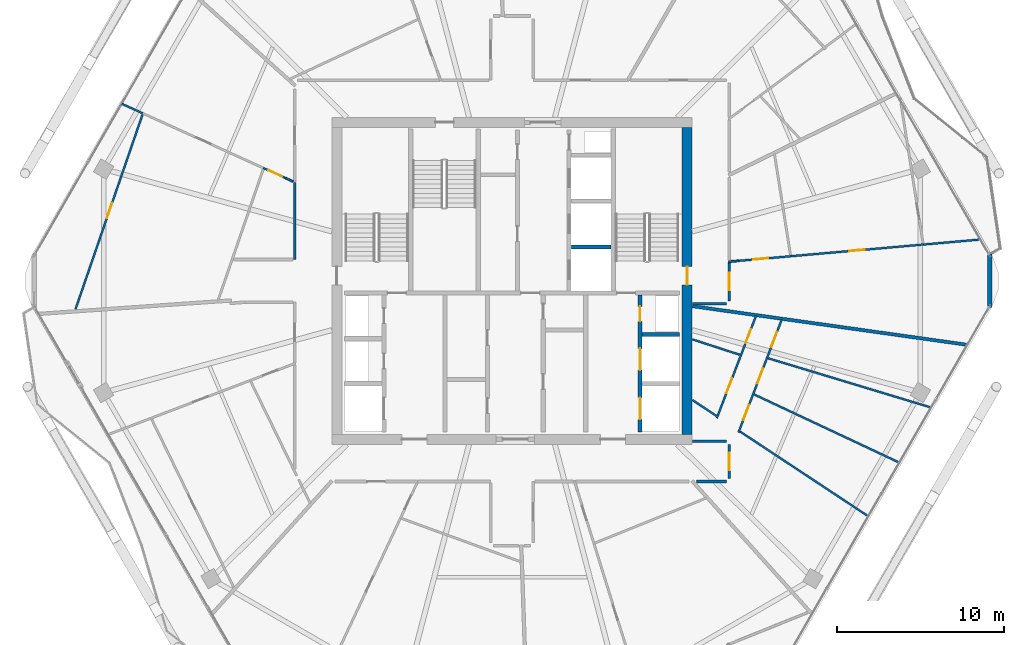
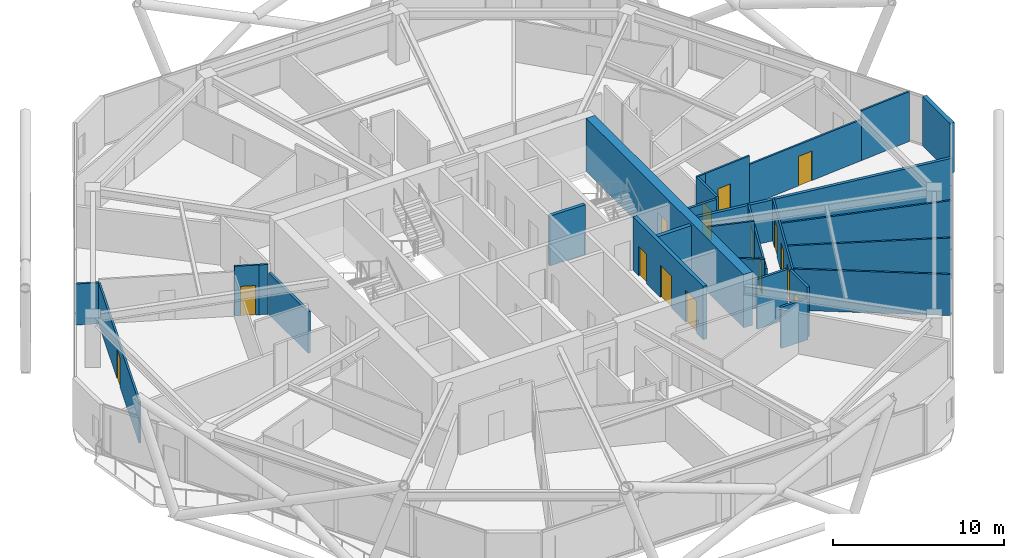
# One storey, part 22 of 27: 27 walls, 15 doors, 15 openings.
"""IFC4 building model written with IfcOpenShell, lengths in metres."""

from ifc_helpers import new_model, si_unit, direction, frame, frame_2d, origin, place, context, subcontext, project, spatial, rectangle, extrude, material, layer, layer_set, type_object, element, fill, save


model = new_model("IFC4")

# Units and contexts
model_context = context("Model", 3, precision=1e-05, world=origin(), true_north=direction((0.0, 1.0)))
body_context = subcontext(model_context, "Body", "Model", "MODEL_VIEW")
ifc_project = project(units=[si_unit("LENGTHUNIT", "METRE"), si_unit("AREAUNIT", "SQUARE_METRE"), si_unit("VOLUMEUNIT", "CUBIC_METRE"), si_unit("PLANEANGLEUNIT", "RADIAN"), si_unit("MASSUNIT", "GRAM", prefix="KILO")], contexts=[model_context])

# Site, building, storey
site_placement = place(None, origin())
site = spatial("IfcSite", under=ifc_project, at=site_placement, CompositionType="ELEMENT")
building_placement = place(site_placement, origin())
building = spatial("IfcBuilding", under=site, at=building_placement, Name="Zuhravey Tower", CompositionType="ELEMENT")
storey_placement = place(building_placement, frame((0.0, 0.0, 238.800048828125)))
storey = spatial("IfcBuildingStorey", under=building, at=storey_placement, Name="L60", CompositionType="ELEMENT", Elevation=238.800048828125)

# Wall, opening, door
ifc_material_1 = material(Name="Concrete C50/60", Category="concrete")
ifc_layer_1 = layer(ifc_material_1, 0.60009765625)
ifc_layer_set_1 = layer_set([ifc_layer_1], Name="Concrete C50/60")
wall_type_1 = type_object("IfcWallType", Name="Core Shear Wall 600", PredefinedType="SHEAR", material=ifc_layer_set_1)
wall_1_placement = place(storey_placement, frame((46.5, 22.800048828125, 0.0), z_axis=(0.0, 0.0, 1.0), x_axis=(0.0, 1.0, 0.0)))
wall_1 = element("IfcWall", 1, at=wall_1_placement, inside=storey, type_object=wall_type_1, Name="L60 East Core Shear Wall CW60", PredefinedType="SHEAR", context=body_context, shape_type="SweptSolid", body=[
    extrude(rectangle(XDim=18.39990234375, YDim=0.60009765625, at=frame_2d((9.199951171875, 0.0))), origin(), (0.0, 0.0, 1.0), 3.800048828125),
])
opening_1_placement = place(wall_1_placement, frame((8.949951171875, 0.0, 0.0)))
opening_1 = element("IfcOpeningElement", 2, at=opening_1_placement, cuts=wall_1, Name="Opening STD1", PredefinedType="OPENING", context=body_context, shape_type="SweptSolid", body=[
    extrude(rectangle(XDim=1.10009765625, YDim=2.14990234375, at=frame_2d((0.550048828125, 1.074951171875))), frame((0.0, 0.31201171875, 0.0), z_axis=(0.0, -1.0, 0.0), x_axis=(1.0, 0.0, 0.0)), (0.0, 0.0, 1.0), 0.6240234375),
])
ifc_material_2 = material(Name="Galvanised fire-rated steel leaf", Category="steel")
door_type_1 = type_object("IfcDoorType", Name="Protected Stair Fire Door 1100x2150", OperationType="NOTDEFINED", PredefinedType="USERDEFINED", material=ifc_material_2)
door_1_placement = place(opening_1_placement, origin())
door_1 = element("IfcDoor", 3, at=door_1_placement, inside=storey, type_object=door_type_1, Name="L60 Stair ST2 Door", ObjectType="EXITDOOR", OperationType="SINGLE_SWING_RIGHT", OverallHeight=2.14990234375, OverallWidth=1.10009765625, PredefinedType="USERDEFINED", context=body_context, shape_type="SweptSolid", body=[
    extrude(rectangle(XDim=1.10009765625, YDim=2.14990234375, at=frame_2d((0.550048828125, 1.074951171875))), frame((0.0, 0.02490234375, 0.0), z_axis=(0.0, -1.0, 0.0), x_axis=(1.0, 0.0, 0.0)), (0.0, 0.0, 1.0), 0.050048828125),
])
fill(opening_1, door_1)

ifc_material_3 = material(Name="Gypsum fire-rated stud partition")
ifc_layer_2 = layer(ifc_material_3, 0.159912109375)
ifc_layer_set_2 = layer_set([ifc_layer_2], Name="Gypsum fire-rated stud partition")
wall_type_2 = type_object("IfcWallType", Name="Corridor Fire Partition 160", PredefinedType="PARTITIONING", material=ifc_layer_set_2)
wall_2_placement = place(storey_placement, frame((49.030029296875, 20.150634765625, 0.0), z_axis=(0.0, 0.0, 1.0), x_axis=(0.0, 1.0, 0.0)))
wall_2 = element("IfcWall", 4, at=wall_2_placement, inside=storey, type_object=wall_type_2, Name="L60 IW16 Partition 043", PredefinedType="PARTITIONING", context=body_context, shape_type="SweptSolid", body=[
    extrude(rectangle(XDim=2.048583984375, YDim=0.159912109375, at=frame_2d((1.0244140625, 0.0))), origin(), (0.0, 0.0, 1.0), 3.550048828125),
])
opening_2_placement = place(wall_2_placement, frame((0.499267578125, 0.0, 0.0)))
opening_2 = element("IfcOpeningElement", 5, at=opening_2_placement, cuts=wall_2, Name="Opening APD1", PredefinedType="OPENING", context=body_context, shape_type="SweptSolid", body=[
    extrude(rectangle(XDim=1.050048828125, YDim=2.14990234375, at=frame_2d((0.52490234375, 1.074951171875))), frame((0.0, 0.092041015625, 0.0), z_axis=(0.0, -1.0, 0.0), x_axis=(1.0, 0.0, 0.0)), (0.0, 0.0, 1.0), 0.183837890625),
])
ifc_material_4 = material(Name="Solid-core oak fire-rated leaf")
door_type_2 = type_object("IfcDoorType", Name="Apartment Entrance Fire Door 1050x2150", OperationType="NOTDEFINED", PredefinedType="DOOR", material=ifc_material_4)
door_2_placement = place(opening_2_placement, frame((1.050048828125, 0.0, 0.0), z_axis=(0.0, 0.0, 1.0), x_axis=(-1.0, 0.0, 0.0)))
door_2 = element("IfcDoor", 6, at=door_2_placement, inside=storey, type_object=door_type_2, Name="L60 Door 043.1", OperationType="SINGLE_SWING_RIGHT", OverallHeight=2.14990234375, OverallWidth=1.050048828125, PredefinedType="DOOR", context=body_context, shape_type="SweptSolid", body=[
    extrude(rectangle(XDim=1.050048828125, YDim=2.14990234375, at=frame_2d((0.52490234375, 1.074951171875))), frame((0.0, 0.02490234375, 0.0), z_axis=(0.0, -1.0, 0.0), x_axis=(1.0, 0.0, 0.0)), (0.0, 0.0, 1.0), 0.050048828125),
])
fill(opening_2, door_2)

wall_3_placement = place(storey_placement, frame((49.030029296875, 30.800048828125, 0.0), z_axis=(0.0, 0.0, 1.0), x_axis=(0.0, 1.0, 0.0)))
wall_3 = element("IfcWall", 7, at=wall_3_placement, inside=storey, type_object=wall_type_2, Name="L60 IW16 Partition 047", PredefinedType="PARTITIONING", context=body_context, shape_type="SweptSolid", body=[
    extrude(rectangle(XDim=2.3291015625, YDim=0.159912109375, at=frame_2d((1.16455078125, 0.0))), origin(), (0.0, 0.0, 1.0), 3.550048828125),
])
opening_3_placement = place(wall_3_placement, frame((0.6396484375, 0.0, 0.0)))
opening_3 = element("IfcOpeningElement", 8, at=opening_3_placement, cuts=wall_3, Name="Opening APD1", PredefinedType="OPENING", context=body_context, shape_type="SweptSolid", body=[
    extrude(rectangle(XDim=1.050048828125, YDim=2.14990234375, at=frame_2d((0.52490234375, 1.074951171875))), frame((0.0, 0.092041015625, 0.0), z_axis=(0.0, -1.0, 0.0), x_axis=(1.0, 0.0, 0.0)), (0.0, 0.0, 1.0), 0.183837890625),
])
door_3_placement = place(opening_3_placement, frame((1.050048828125, 0.0, 0.0), z_axis=(0.0, 0.0, 1.0), x_axis=(-1.0, 0.0, 0.0)))
door_3 = element("IfcDoor", 9, at=door_3_placement, inside=storey, type_object=door_type_2, Name="L60 Door 047.1", OperationType="SINGLE_SWING_RIGHT", OverallHeight=2.14990234375, OverallWidth=1.050048828125, PredefinedType="DOOR", context=body_context, shape_type="SweptSolid", body=[
    extrude(rectangle(XDim=1.050048828125, YDim=2.14990234375, at=frame_2d((0.52490234375, 1.074951171875))), frame((0.0, 0.02490234375, 0.0), z_axis=(0.0, -1.0, 0.0), x_axis=(1.0, 0.0, 0.0)), (0.0, 0.0, 1.0), 0.050048828125),
])
fill(opening_3, door_3)

# Walls
wall_4_placement = place(storey_placement, frame((22.969970703125, 37.888671875, 0.0), z_axis=(0.0, 0.0, 1.0), x_axis=(0.0, -1.0, 0.0)))
element("IfcWall", 10, at=wall_4_placement, inside=storey, type_object=wall_type_2, Name="L60 IW16 Partition 097", PredefinedType="PARTITIONING", context=body_context, shape_type="SweptSolid", body=[
    extrude(rectangle(XDim=4.608642578125, YDim=0.159912109375, at=frame_2d((2.30419921875, 0.0))), origin(), (0.0, 0.0, 1.0), 2.949951171875),
])
wall_5_placement = place(storey_placement, frame((48.849365234375, 22.3798828125, 0.0), z_axis=(0.0, 0.0, 1.0), x_axis=(-1.0, 0.0, 0.0)))
element("IfcWall", 11, at=wall_5_placement, inside=storey, type_object=wall_type_2, Name="L60 IW16 Partition 108", PredefinedType="PARTITIONING", context=body_context, shape_type="SweptSolid", body=[
    extrude(rectangle(XDim=2.029296875, YDim=0.159912109375, at=frame_2d((1.0146484375, 0.0))), origin(), (0.0, 0.0, 1.0), 3.550048828125),
])
wall_6_placement = place(storey_placement, frame((47.050537109375, 19.969970703125, 0.0), z_axis=(0.0, 0.0, 1.0), x_axis=(1.0, 0.0, 0.0)))
element("IfcWall", 12, at=wall_6_placement, inside=storey, type_object=wall_type_2, Name="L60 IW16 Partition 109", PredefinedType="PARTITIONING", context=body_context, shape_type="SweptSolid", body=[
    extrude(rectangle(XDim=1.798828125, YDim=0.159912109375, at=frame_2d((0.8994140625, 0.0))), origin(), (0.0, 0.0, 1.0), 2.949951171875),
])
wall_7_placement = place(storey_placement, frame((46.820068359375, 30.6201171875, 0.0), z_axis=(0.0, 0.0, 1.0), x_axis=(1.0, 0.0, 0.0)))
element("IfcWall", 13, at=wall_7_placement, inside=storey, type_object=wall_type_2, Name="L60 IW16 Partition 110", PredefinedType="PARTITIONING", context=body_context, shape_type="SweptSolid", body=[
    extrude(rectangle(XDim=2.030029296875, YDim=0.159912109375, at=frame_2d((1.01513671875, 0.0))), origin(), (0.0, 0.0, 1.0), 3.550048828125),
])
ifc_material_5 = material(Name="Precast concrete C40/50", Category="concrete")
ifc_layer_3 = layer(ifc_material_5, 0.280029296875)
ifc_layer_set_3 = layer_set([ifc_layer_3], Name="Precast concrete C40/50")
wall_type_3 = type_object("IfcWallType", Name="Crown Architectural Wall 280", PredefinedType="SOLIDWALL", material=ifc_layer_set_3)
wall_8_placement = place(storey_placement, frame((64.64501953125, 33.607421875, 0.0), z_axis=(0.0, 0.0, 1.0), x_axis=(0.0, -1.0, 0.0)))
element("IfcWall", 14, at=wall_8_placement, inside=storey, type_object=wall_type_3, Name="L60 Rounded Corner Closure Wall EW28-12", PredefinedType="SOLIDWALL", context=body_context, shape_type="SweptSolid", body=[
    extrude(rectangle(XDim=3.21484375, YDim=0.280029296875, at=frame_2d((1.607421875, 0.0))), origin(), (0.0, 0.0, 1.0), 3.550048828125),
])
ifc_layer_4 = layer(ifc_material_1, 0.25)
ifc_layer_set_4 = layer_set([ifc_layer_4], Name="Concrete C50/60")
wall_type_4 = type_object("IfcWallType", Name="Firefighting Shaft & Stair Wall 250", PredefinedType="SOLIDWALL", material=ifc_layer_set_4)
wall_9_placement = place(storey_placement, frame((43.800048828125, 28.77490234375, 0.0), z_axis=(0.0, 0.0, 1.0), x_axis=(1.0, 0.0, 0.0)))
element("IfcWall", 15, at=wall_9_placement, inside=storey, type_object=wall_type_4, Name="L60 FW25 Shaft Wall 019", PredefinedType="SOLIDWALL", context=body_context, shape_type="SweptSolid", body=[
    extrude(rectangle(XDim=2.25, YDim=0.25, at=frame_2d((1.125, 0.0))), origin(), (0.0, 0.0, 1.0), 3.800048828125),
])

# Wall, openings, doors
wall_10_placement = place(storey_placement, frame((43.675048828125, 22.949951171875, 0.0), z_axis=(0.0, 0.0, 1.0), x_axis=(0.0, 1.0, 0.0)))
wall_10 = element("IfcWall", 16, at=wall_10_placement, inside=storey, type_object=wall_type_4, Name="L60 FW25 Shaft Wall 020", PredefinedType="SOLIDWALL", context=body_context, shape_type="SweptSolid", body=[
    extrude(rectangle(XDim=8.199951171875, YDim=0.25, at=frame_2d((4.10009765625, 0.0))), origin(), (0.0, 0.0, 1.0), 3.800048828125),
])
opening_4_placement = place(wall_10_placement, frame((0.75, 0.0, 0.0)))
opening_4 = element("IfcOpeningElement", 17, at=opening_4_placement, cuts=wall_10, Name="Opening LD2", PredefinedType="OPENING", context=body_context, shape_type="SweptSolid", body=[
    extrude(rectangle(XDim=1.300048828125, YDim=2.300048828125, at=frame_2d((0.64990234375, 1.14990234375))), frame((0.0, 0.136962890625, 0.0), z_axis=(0.0, -1.0, 0.0), x_axis=(1.0, 0.0, 0.0)), (0.0, 0.0, 1.0), 0.27392578125),
])
opening_5_placement = place(wall_10_placement, frame((3.699951171875, 0.0, 0.0)))
opening_5 = element("IfcOpeningElement", 18, at=opening_5_placement, cuts=wall_10, Name="Opening LD2", PredefinedType="OPENING", context=body_context, shape_type="SweptSolid", body=[
    extrude(rectangle(XDim=1.300048828125, YDim=2.300048828125, at=frame_2d((0.64990234375, 1.14990234375))), frame((0.0, 0.136962890625, 0.0), z_axis=(0.0, -1.0, 0.0), x_axis=(1.0, 0.0, 0.0)), (0.0, 0.0, 1.0), 0.27392578125),
])
opening_6_placement = place(wall_10_placement, frame((6.6201171875, 0.0, 0.0)))
opening_6 = element("IfcOpeningElement", 19, at=opening_6_placement, cuts=wall_10, Name="Opening RSD1", PredefinedType="OPENING", context=body_context, shape_type="SweptSolid", body=[
    extrude(rectangle(XDim=0.89990234375, YDim=2.10009765625, at=frame_2d((0.449951171875, 1.050048828125))), frame((0.0, 0.136962890625, 0.0), z_axis=(0.0, -1.0, 0.0), x_axis=(1.0, 0.0, 0.0)), (0.0, 0.0, 1.0), 0.27392578125),
])
ifc_material_6 = material(Name="Brushed stainless steel", Category="steel")
door_type_3 = type_object("IfcDoorType", Name="Freight & Stretcher Lift Sliding Door 1300x2300", OperationType="DOUBLE_DOOR_SLIDING", PredefinedType="DOOR", material=ifc_material_6)
door_4_placement = place(opening_4_placement, origin())
door_4 = element("IfcDoor", 20, at=door_4_placement, inside=storey, type_object=door_type_3, Name="L60 Lift FF2 Landing Door", OperationType="DOUBLE_DOOR_SLIDING", OverallHeight=2.300048828125, OverallWidth=1.300048828125, PredefinedType="DOOR", context=body_context, shape_type="SweptSolid", body=[
    extrude(rectangle(XDim=1.300048828125, YDim=2.300048828125, at=frame_2d((0.64990234375, 1.14990234375))), frame((0.0, 0.02490234375, 0.0), z_axis=(0.0, -1.0, 0.0), x_axis=(1.0, 0.0, 0.0)), (0.0, 0.0, 1.0), 0.050048828125),
])
fill(opening_4, door_4)
door_5_placement = place(opening_5_placement, origin())
door_5 = element("IfcDoor", 21, at=door_5_placement, inside=storey, type_object=door_type_3, Name="L60 Lift SV1 Landing Door", OperationType="DOUBLE_DOOR_SLIDING", OverallHeight=2.300048828125, OverallWidth=1.300048828125, PredefinedType="DOOR", context=body_context, shape_type="SweptSolid", body=[
    extrude(rectangle(XDim=1.300048828125, YDim=2.300048828125, at=frame_2d((0.64990234375, 1.14990234375))), frame((0.0, 0.02490234375, 0.0), z_axis=(0.0, -1.0, 0.0), x_axis=(1.0, 0.0, 0.0)), (0.0, 0.0, 1.0), 0.050048828125),
])
fill(opening_5, door_5)
ifc_material_7 = material(Name="Galvanised fire-rated steel access leaf", Category="steel")
door_type_4 = type_object("IfcDoorType", Name="Riser & Shaft Access Fire Door 900x2100", OperationType="NOTDEFINED", PredefinedType="DOOR", material=ifc_material_7)
door_6_placement = place(opening_6_placement, origin())
door_6 = element("IfcDoor", 22, at=door_6_placement, inside=storey, type_object=door_type_4, Name="L60 Plumbing Riser Door", OperationType="SINGLE_SWING_RIGHT", OverallHeight=2.10009765625, OverallWidth=0.89990234375, PredefinedType="DOOR", context=body_context, shape_type="SweptSolid", body=[
    extrude(rectangle(XDim=0.89990234375, YDim=2.10009765625, at=frame_2d((0.449951171875, 1.050048828125))), frame((0.0, 0.02490234375, 0.0), z_axis=(0.0, -1.0, 0.0), x_axis=(1.0, 0.0, 0.0)), (0.0, 0.0, 1.0), 0.050048828125),
])
fill(opening_6, door_6)

# Walls
ifc_material_8 = material(Name="Gypsum double-stud party assembly")
ifc_layer_5 = layer(ifc_material_8, 0.199951171875)
ifc_layer_set_5 = layer_set([ifc_layer_5], Name="Gypsum double-stud party assembly")
wall_type_5 = type_object("IfcWallType", Name="Inter-Tenancy Party Wall 200", PredefinedType="PARTITIONING", material=ifc_layer_set_5)
wall_11_placement = place(storey_placement, frame((46.80810546875, 30.481201171875, 0.0), z_axis=(0.0, 0.0, 1.0), x_axis=(0.990266776737, -0.139182293739, 0.0)))
element("IfcWall", 23, at=wall_11_placement, inside=storey, type_object=wall_type_5, Name="L60 IW20 Partition 085", PredefinedType="PARTITIONING", context=body_context, shape_type="SweptSolid", body=[
    extrude(rectangle(XDim=16.656982421875, YDim=0.199951171875, at=frame_2d((8.32861328125, 0.0))), origin(), (0.0, 0.0, 1.0), 2.929931640625),
])
ifc_material_9 = material(Name="Gypsum acoustic stud assembly")
ifc_layer_6 = layer(ifc_material_9, 0.219970703125)
ifc_layer_set_6 = layer_set([ifc_layer_6], Name="Gypsum acoustic stud assembly")
wall_type_6 = type_object("IfcWallType", Name="School Acoustic Compartment Wall 220", PredefinedType="PARTITIONING", material=ifc_layer_set_6)
wall_12_placement = place(storey_placement, frame((39.55810546875, 34.02490234375, 0.0), z_axis=(0.0, 0.0, 1.0), x_axis=(1.0, 0.0, 0.0)))
element("IfcWall", 24, at=wall_12_placement, inside=storey, type_object=wall_type_6, Name="L60 IW22 Partition 055", PredefinedType="PARTITIONING", context=body_context, shape_type="SweptSolid", body=[
    extrude(rectangle(XDim=2.3837890625, YDim=0.219970703125, at=frame_2d((1.19189453125, 0.0))), origin(), (0.0, 0.0, 1.0), 3.550048828125),
])

# Wall, opening, door
ifc_material_10 = material(Name="Gypsum metal-stud partition")
ifc_layer_7 = layer(ifc_material_10, 0.1201171875)
ifc_layer_set_7 = layer_set([ifc_layer_7], Name="Gypsum metal-stud partition")
wall_type_7 = type_object("IfcWallType", Name="Unit Internal Partition 120", PredefinedType="PARTITIONING", material=ifc_layer_set_7)
wall_13_placement = place(storey_placement, frame((22.39990234375, 38.169189453125, 0.0), z_axis=(0.0, 0.0, 1.0), x_axis=(-0.910638522973, 0.413203921178, 0.0)))
wall_13 = element("IfcWall", 25, at=wall_13_placement, inside=storey, type_object=wall_type_7, Name="L60 IW12 Partition 025", PredefinedType="PARTITIONING", context=body_context, shape_type="SweptSolid", body=[
    extrude(rectangle(XDim=1.443359375, YDim=0.1201171875, at=frame_2d((0.7216796875, 0.0))), origin(), (0.0, 0.0, 1.0), 3.550048828125),
])
opening_7_placement = place(wall_13_placement, frame((0.199951171875, 0.0, 0.0)))
opening_7 = element("IfcOpeningElement", 26, at=opening_7_placement, cuts=wall_13, Name="Opening WCD1", PredefinedType="OPENING", context=body_context, shape_type="SweptSolid", body=[
    extrude(rectangle(XDim=0.89990234375, YDim=2.10009765625, at=frame_2d((0.449951171875, 1.050048828125))), frame((0.0, 0.072021484375, 0.0), z_axis=(0.0, -1.0, 0.0), x_axis=(1.0, 0.0, 0.0)), (0.0, 0.0, 1.0), 0.14404296875),
])
ifc_material_11 = material(Name="Moisture-resistant timber leaf", Category="wood")
door_type_5 = type_object("IfcDoorType", Name="Bathroom & WC Internal Door 900x2100", OperationType="NOTDEFINED", PredefinedType="DOOR", material=ifc_material_11)
door_7_placement = place(opening_7_placement, origin())
door_7 = element("IfcDoor", 27, at=door_7_placement, inside=storey, type_object=door_type_5, Name="Apartment L60-02 Bathroom Door", OperationType="SINGLE_SWING_LEFT", OverallHeight=2.10009765625, OverallWidth=0.89990234375, PredefinedType="DOOR", context=body_context, shape_type="SweptSolid", body=[
    extrude(rectangle(XDim=0.89990234375, YDim=2.10009765625, at=frame_2d((0.449951171875, 1.050048828125))), frame((0.0, 0.02490234375, 0.0), z_axis=(0.0, -1.0, 0.0), x_axis=(1.0, 0.0, 0.0)), (0.0, 0.0, 1.0), 0.050048828125),
])
fill(opening_7, door_7)

wall_14_placement = place(storey_placement, frame((13.850341796875, 41.972900390625, 0.0), z_axis=(0.0, 0.0, 1.0), x_axis=(-0.325567715509, -0.945518726741, 0.0)))
wall_14 = element("IfcWall", 28, at=wall_14_placement, inside=storey, type_object=wall_type_7, Name="L60 IW12 Partition 027", PredefinedType="PARTITIONING", context=body_context, shape_type="SweptSolid", body=[
    extrude(rectangle(XDim=12.34619140625, YDim=0.1201171875, at=frame_2d((6.173095703125, 0.0))), origin(), (0.0, 0.0, 1.0), 2.929931640625),
])
opening_8_placement = place(wall_14_placement, frame((5.61376953125, 0.0, 0.0)))
opening_8 = element("IfcOpeningElement", 29, at=opening_8_placement, cuts=wall_14, Name="Opening IND1", PredefinedType="OPENING", context=body_context, shape_type="SweptSolid", body=[
    extrude(rectangle(XDim=0.949951171875, YDim=2.10009765625, at=frame_2d((0.47509765625, 1.050048828125))), frame((0.0, 0.072021484375, 0.0), z_axis=(0.0, -1.0, 0.0), x_axis=(1.0, 0.0, 0.0)), (0.0, 0.0, 1.0), 0.14404296875),
])
ifc_material_12 = material(Name="Painted engineered timber leaf", Category="wood")
door_type_6 = type_object("IfcDoorType", Name="Internal Room & Bedroom Door 950x2100", OperationType="NOTDEFINED", PredefinedType="DOOR", material=ifc_material_12)
door_8_placement = place(opening_8_placement, frame((0.949951171875, 0.0, 0.0), z_axis=(0.0, 0.0, 1.0), x_axis=(-1.0, 0.0, 0.0)))
door_8 = element("IfcDoor", 30, at=door_8_placement, inside=storey, type_object=door_type_6, Name="Apartment L60-02 Bedroom 1 Door", OperationType="SINGLE_SWING_LEFT", OverallHeight=2.10009765625, OverallWidth=0.949951171875, PredefinedType="DOOR", context=body_context, shape_type="SweptSolid", body=[
    extrude(rectangle(XDim=0.949951171875, YDim=2.10009765625, at=frame_2d((0.47509765625, 1.050048828125))), frame((0.0, 0.02490234375, 0.0), z_axis=(0.0, -1.0, 0.0), x_axis=(1.0, 0.0, 0.0)), (0.0, 0.0, 1.0), 0.050048828125),
])
fill(opening_8, door_8)

# Wall, openings, doors
wall_15_placement = place(storey_placement, frame((48.27783203125, 23.76611328125, 0.0), z_axis=(0.0, 0.0, 1.0), x_axis=(0.358042156754, 0.933705421419, 0.0)))
wall_15 = element("IfcWall", 31, at=wall_15_placement, inside=storey, type_object=wall_type_7, Name="L60 IW12 Partition 041", PredefinedType="PARTITIONING", context=body_context, shape_type="SweptSolid", body=[
    extrude(rectangle(XDim=6.584228515625, YDim=0.1201171875, at=frame_2d((3.2919921875, 0.0))), origin(), (0.0, 0.0, 1.0), 2.949951171875),
])
opening_9_placement = place(wall_15_placement, frame((1.599365234375, 0.0, 0.0)))
opening_9 = element("IfcOpeningElement", 32, at=opening_9_placement, cuts=wall_15, Name="Opening IND1", PredefinedType="OPENING", context=body_context, shape_type="SweptSolid", body=[
    extrude(rectangle(XDim=0.949951171875, YDim=2.10009765625, at=frame_2d((0.47509765625, 1.050048828125))), frame((0.0, 0.072021484375, 0.0), z_axis=(0.0, -1.0, 0.0), x_axis=(1.0, 0.0, 0.0)), (0.0, 0.0, 1.0), 0.14404296875),
])
opening_10_placement = place(wall_15_placement, frame((4.81396484375, 0.0, 0.0)))
opening_10 = element("IfcOpeningElement", 33, at=opening_10_placement, cuts=wall_15, Name="Opening WCD1", PredefinedType="OPENING", context=body_context, shape_type="SweptSolid", body=[
    extrude(rectangle(XDim=0.89990234375, YDim=2.10009765625, at=frame_2d((0.449951171875, 1.050048828125))), frame((0.0, 0.072021484375, 0.0), z_axis=(0.0, -1.0, 0.0), x_axis=(1.0, 0.0, 0.0)), (0.0, 0.0, 1.0), 0.14404296875),
])
door_9_placement = place(opening_10_placement, origin())
door_9 = element("IfcDoor", 34, at=door_9_placement, inside=storey, type_object=door_type_5, Name="Apartment L60-06 Bathroom Door", OperationType="SINGLE_SWING_RIGHT", OverallHeight=2.10009765625, OverallWidth=0.89990234375, PredefinedType="DOOR", context=body_context, shape_type="SweptSolid", body=[
    extrude(rectangle(XDim=0.89990234375, YDim=2.10009765625, at=frame_2d((0.449951171875, 1.050048828125))), frame((0.0, 0.02490234375, 0.0), z_axis=(0.0, -1.0, 0.0), x_axis=(1.0, 0.0, 0.0)), (0.0, 0.0, 1.0), 0.050048828125),
])
fill(opening_10, door_9)
door_10_placement = place(opening_9_placement, origin())
door_10 = element("IfcDoor", 35, at=door_10_placement, inside=storey, type_object=door_type_6, Name="Apartment L60-06 Kitchen Door", OperationType="SINGLE_SWING_LEFT", OverallHeight=2.10009765625, OverallWidth=0.949951171875, PredefinedType="DOOR", context=body_context, shape_type="SweptSolid", body=[
    extrude(rectangle(XDim=0.949951171875, YDim=2.10009765625, at=frame_2d((0.47509765625, 1.050048828125))), frame((0.0, 0.02490234375, 0.0), z_axis=(0.0, -1.0, 0.0), x_axis=(1.0, 0.0, 0.0)), (0.0, 0.0, 1.0), 0.050048828125),
])
fill(opening_9, door_10)

wall_16_placement = place(storey_placement, frame((49.576416015625, 22.90771484375, 0.0), z_axis=(0.0, 0.0, 1.0), x_axis=(0.358041112014, 0.933705822038, 0.0)))
wall_16 = element("IfcWall", 36, at=wall_16_placement, inside=storey, type_object=wall_type_7, Name="L60 IW12 Partition 042", PredefinedType="PARTITIONING", context=body_context, shape_type="SweptSolid", body=[
    extrude(rectangle(XDim=7.25732421875, YDim=0.1201171875, at=frame_2d((3.628662109375, 0.0))), origin(), (0.0, 0.0, 1.0), 2.949951171875),
])
opening_11_placement = place(wall_16_placement, frame((0.809814453125, 0.0, 0.0)))
opening_11 = element("IfcOpeningElement", 37, at=opening_11_placement, cuts=wall_16, Name="Opening IND1", PredefinedType="OPENING", context=body_context, shape_type="SweptSolid", body=[
    extrude(rectangle(XDim=0.949951171875, YDim=2.10009765625, at=frame_2d((0.47509765625, 1.050048828125))), frame((0.0, 0.072021484375, 0.0), z_axis=(0.0, -1.0, 0.0), x_axis=(1.0, 0.0, 0.0)), (0.0, 0.0, 1.0), 0.14404296875),
])
opening_12_placement = place(wall_16_placement, frame((3.15380859375, 0.0, 0.0)))
opening_12 = element("IfcOpeningElement", 38, at=opening_12_placement, cuts=wall_16, Name="Opening IND1", PredefinedType="OPENING", context=body_context, shape_type="SweptSolid", body=[
    extrude(rectangle(XDim=0.949951171875, YDim=2.10009765625, at=frame_2d((0.47509765625, 1.050048828125))), frame((0.0, 0.072021484375, 0.0), z_axis=(0.0, -1.0, 0.0), x_axis=(1.0, 0.0, 0.0)), (0.0, 0.0, 1.0), 0.14404296875),
])
opening_13_placement = place(wall_16_placement, frame((5.497314453125, 0.0, 0.0)))
opening_13 = element("IfcOpeningElement", 39, at=opening_13_placement, cuts=wall_16, Name="Opening IND1", PredefinedType="OPENING", context=body_context, shape_type="SweptSolid", body=[
    extrude(rectangle(XDim=0.949951171875, YDim=2.10009765625, at=frame_2d((0.47509765625, 1.050048828125))), frame((0.0, 0.072021484375, 0.0), z_axis=(0.0, -1.0, 0.0), x_axis=(1.0, 0.0, 0.0)), (0.0, 0.0, 1.0), 0.14404296875),
])
door_11_placement = place(opening_11_placement, frame((0.949951171875, 0.0, 0.0), z_axis=(0.0, 0.0, 1.0), x_axis=(-1.0, 0.0, 0.0)))
door_11 = element("IfcDoor", 40, at=door_11_placement, inside=storey, type_object=door_type_6, Name="Apartment L60-06 Bedroom 1 Door", OperationType="SINGLE_SWING_LEFT", OverallHeight=2.10009765625, OverallWidth=0.949951171875, PredefinedType="DOOR", context=body_context, shape_type="SweptSolid", body=[
    extrude(rectangle(XDim=0.949951171875, YDim=2.10009765625, at=frame_2d((0.47509765625, 1.050048828125))), frame((0.0, 0.02490234375, 0.0), z_axis=(0.0, -1.0, 0.0), x_axis=(1.0, 0.0, 0.0)), (0.0, 0.0, 1.0), 0.050048828125),
])
fill(opening_11, door_11)
door_12_placement = place(opening_12_placement, frame((0.949951171875, 0.0, 0.0), z_axis=(0.0, 0.0, 1.0), x_axis=(-1.0, 0.0, 0.0)))
door_12 = element("IfcDoor", 41, at=door_12_placement, inside=storey, type_object=door_type_6, Name="Apartment L60-06 Bedroom 2 Door", OperationType="SINGLE_SWING_RIGHT", OverallHeight=2.10009765625, OverallWidth=0.949951171875, PredefinedType="DOOR", context=body_context, shape_type="SweptSolid", body=[
    extrude(rectangle(XDim=0.949951171875, YDim=2.10009765625, at=frame_2d((0.47509765625, 1.050048828125))), frame((0.0, 0.02490234375, 0.0), z_axis=(0.0, -1.0, 0.0), x_axis=(1.0, 0.0, 0.0)), (0.0, 0.0, 1.0), 0.050048828125),
])
fill(opening_12, door_12)
door_13_placement = place(opening_13_placement, frame((0.949951171875, 0.0, 0.0), z_axis=(0.0, 0.0, 1.0), x_axis=(-1.0, 0.0, 0.0)))
door_13 = element("IfcDoor", 42, at=door_13_placement, inside=storey, type_object=door_type_6, Name="Apartment L60-06 Bedroom 3 Door", OperationType="SINGLE_SWING_LEFT", OverallHeight=2.10009765625, OverallWidth=0.949951171875, PredefinedType="DOOR", context=body_context, shape_type="SweptSolid", body=[
    extrude(rectangle(XDim=0.949951171875, YDim=2.10009765625, at=frame_2d((0.47509765625, 1.050048828125))), frame((0.0, 0.02490234375, 0.0), z_axis=(0.0, -1.0, 0.0), x_axis=(1.0, 0.0, 0.0)), (0.0, 0.0, 1.0), 0.050048828125),
])
fill(opening_13, door_13)

# Wall, opening, door
wall_17_placement = place(storey_placement, frame((49.60009765625, 33.199462890625, 0.0), z_axis=(0.0, 0.0, 1.0), x_axis=(0.996134648453, 0.087839411149, 0.0)))
wall_17 = element("IfcWall", 43, at=wall_17_placement, inside=storey, type_object=wall_type_7, Name="L60 IW12 Partition 044", PredefinedType="PARTITIONING", context=body_context, shape_type="SweptSolid", body=[
    extrude(rectangle(XDim=3.1435546875, YDim=0.1201171875, at=frame_2d((1.57177734375, 0.0))), origin(), (0.0, 0.0, 1.0), 3.550048828125),
])
opening_14_placement = place(wall_17_placement, frame((0.870361328125, 0.0, 0.0)))
opening_14 = element("IfcOpeningElement", 44, at=opening_14_placement, cuts=wall_17, Name="Opening WCD1", PredefinedType="OPENING", context=body_context, shape_type="SweptSolid", body=[
    extrude(rectangle(XDim=0.89990234375, YDim=2.10009765625, at=frame_2d((0.449951171875, 1.050048828125))), frame((0.0, 0.072021484375, 0.0), z_axis=(0.0, -1.0, 0.0), x_axis=(1.0, 0.0, 0.0)), (0.0, 0.0, 1.0), 0.14404296875),
])
door_14_placement = place(opening_14_placement, origin())
door_14 = element("IfcDoor", 45, at=door_14_placement, inside=storey, type_object=door_type_5, Name="Apartment L60-07 Bathroom Door", OperationType="SINGLE_SWING_LEFT", OverallHeight=2.10009765625, OverallWidth=0.89990234375, PredefinedType="DOOR", context=body_context, shape_type="SweptSolid", body=[
    extrude(rectangle(XDim=0.89990234375, YDim=2.10009765625, at=frame_2d((0.449951171875, 1.050048828125))), frame((0.0, 0.02490234375, 0.0), z_axis=(0.0, -1.0, 0.0), x_axis=(1.0, 0.0, 0.0)), (0.0, 0.0, 1.0), 0.050048828125),
])
fill(opening_14, door_14)

wall_18_placement = place(storey_placement, frame((52.7314453125, 33.4755859375, 0.0), z_axis=(0.0, 0.0, 1.0), x_axis=(0.996132054935, 0.087868817741, 0.0)))
wall_18 = element("IfcWall", 46, at=wall_18_placement, inside=storey, type_object=wall_type_7, Name="L60 IW12 Partition 045", PredefinedType="PARTITIONING", context=body_context, shape_type="SweptSolid", body=[
    extrude(rectangle(XDim=7.982421875, YDim=0.1201171875, at=frame_2d((3.9912109375, 0.0))), origin(), (0.0, 0.0, 1.0), 2.929931640625),
])
opening_15_placement = place(wall_18_placement, frame((3.4912109375, 0.0, 0.0)))
opening_15 = element("IfcOpeningElement", 47, at=opening_15_placement, cuts=wall_18, Name="Opening IND1", PredefinedType="OPENING", context=body_context, shape_type="SweptSolid", body=[
    extrude(rectangle(XDim=0.949951171875, YDim=2.10009765625, at=frame_2d((0.47509765625, 1.050048828125))), frame((0.0, 0.072021484375, 0.0), z_axis=(0.0, -1.0, 0.0), x_axis=(1.0, 0.0, 0.0)), (0.0, 0.0, 1.0), 0.14404296875),
])
door_15_placement = place(opening_15_placement, origin())
door_15 = element("IfcDoor", 48, at=door_15_placement, inside=storey, type_object=door_type_6, Name="Apartment L60-07 Home Office Door", OperationType="SINGLE_SWING_RIGHT", OverallHeight=2.10009765625, OverallWidth=0.949951171875, PredefinedType="DOOR", context=body_context, shape_type="SweptSolid", body=[
    extrude(rectangle(XDim=0.949951171875, YDim=2.10009765625, at=frame_2d((0.47509765625, 1.050048828125))), frame((0.0, 0.02490234375, 0.0), z_axis=(0.0, -1.0, 0.0), x_axis=(1.0, 0.0, 0.0)), (0.0, 0.0, 1.0), 0.050048828125),
])
fill(opening_15, door_15)

# Walls
wall_19_placement = place(storey_placement, frame((22.882080078125, 37.95068359375, 0.0), z_axis=(0.0, 0.0, 1.0), x_axis=(-0.910839700521, 0.41276026935, 0.0)))
element("IfcWall", 49, at=wall_19_placement, inside=storey, type_object=wall_type_7, Name="L60 IW12 Partition 063", PredefinedType="PARTITIONING", context=body_context, shape_type="SweptSolid", body=[
    extrude(rectangle(XDim=0.529296875, YDim=0.1201171875, at=frame_2d((0.2646484375, 0.0))), origin(), (0.0, 0.0, 1.0), 3.550048828125),
])
wall_20_placement = place(storey_placement, frame((13.849853515625, 42.0478515625, 0.0), z_axis=(0.0, 0.0, 1.0), x_axis=(-0.910665587289, 0.413144270355, 0.0)))
element("IfcWall", 50, at=wall_20_placement, inside=storey, type_object=wall_type_7, Name="L60 IW12 Partition 064", PredefinedType="PARTITIONING", context=body_context, shape_type="SweptSolid", body=[
    extrude(rectangle(XDim=1.36865234375, YDim=0.1201171875, at=frame_2d((0.684326171875, 0.0))), origin(), (0.0, 0.0, 1.0), 2.929931640625),
])
wall_21_placement = place(storey_placement, frame((46.80810546875, 28.491455078125, 0.0), z_axis=(0.0, 0.0, 1.0), x_axis=(0.951120145706, -0.308821094538, 0.0)))
element("IfcWall", 51, at=wall_21_placement, inside=storey, type_object=wall_type_7, Name="L60 IW12 Partition 080", PredefinedType="PARTITIONING", context=body_context, shape_type="SweptSolid", body=[
    extrude(rectangle(XDim=3.000244140625, YDim=0.1201171875, at=frame_2d((1.5, 0.0))), origin(), (0.0, 0.0, 1.0), 3.550048828125),
])
wall_22_placement = place(storey_placement, frame((50.5224609375, 25.184814453125, 0.0), z_axis=(0.0, 0.0, 1.0), x_axis=(0.905267210554, -0.424842650278, 0.0)))
element("IfcWall", 52, at=wall_22_placement, inside=storey, type_object=wall_type_7, Name="L60 IW12 Partition 081", PredefinedType="PARTITIONING", context=body_context, shape_type="SweptSolid", body=[
    extrude(rectangle(XDim=9.623779296875, YDim=0.1201171875, at=frame_2d((4.81201171875, 0.0))), origin(), (0.0, 0.0, 1.0), 2.929931640625),
])
wall_23_placement = place(storey_placement, frame((51.35595703125, 27.35791015625, 0.0), z_axis=(0.0, 0.0, 1.0), x_axis=(0.957218811374, -0.289365075903, 0.0)))
element("IfcWall", 53, at=wall_23_placement, inside=storey, type_object=wall_type_7, Name="L60 IW12 Partition 082", PredefinedType="PARTITIONING", context=body_context, shape_type="SweptSolid", body=[
    extrude(rectangle(XDim=10.22314453125, YDim=0.1201171875, at=frame_2d((5.111572265625, 0.0))), origin(), (0.0, 0.0, 1.0), 2.929931640625),
])
wall_24_placement = place(storey_placement, frame((46.80810546875, 24.857177734375, 0.0), z_axis=(0.0, 0.0, 1.0), x_axis=(0.834229042932, -0.551418084514, 0.0)))
element("IfcWall", 54, at=wall_24_placement, inside=storey, type_object=wall_type_7, Name="L60 IW12 Partition 083", PredefinedType="PARTITIONING", context=body_context, shape_type="SweptSolid", body=[
    extrude(rectangle(XDim=1.736083984375, YDim=0.1201171875, at=frame_2d((0.8681640625, 0.0))), origin(), (0.0, 0.0, 1.0), 3.550048828125),
])
wall_25_placement = place(storey_placement, frame((49.67138671875, 22.96484375, 0.0), z_axis=(0.0, 0.0, 1.0), x_axis=(0.834276896683, -0.551345680731, 0.0)))
element("IfcWall", 55, at=wall_25_placement, inside=storey, type_object=wall_type_7, Name="L60 IW12 Partition 084", PredefinedType="PARTITIONING", context=body_context, shape_type="SweptSolid", body=[
    extrude(rectangle(XDim=9.23291015625, YDim=0.1201171875, at=frame_2d((4.616455078125, 0.0))), origin(), (0.0, 0.0, 1.0), 2.929931640625),
])
wall_26_placement = place(storey_placement, frame((48.985107421875, 33.145263671875, 0.0), z_axis=(0.0, 0.0, 1.0), x_axis=(0.99613900955, 0.0877899405, 0.0)))
element("IfcWall", 56, at=wall_26_placement, inside=storey, type_object=wall_type_7, Name="L60 IW12 Partition 086", PredefinedType="PARTITIONING", context=body_context, shape_type="SweptSolid", body=[
    extrude(rectangle(XDim=0.617431640625, YDim=0.1201171875, at=frame_2d((0.30859375, 0.0))), origin(), (0.0, 0.0, 1.0), 3.550048828125),
])
wall_27_placement = place(storey_placement, frame((60.68310546875, 34.177001953125, 0.0), z_axis=(0.0, 0.0, 1.0), x_axis=(0.996140317526, 0.087775097826, 0.0)))
element("IfcWall", 57, at=wall_27_placement, inside=storey, type_object=wall_type_7, Name="L60 IW12 Partition 087", PredefinedType="PARTITIONING", context=body_context, shape_type="SweptSolid", body=[
    extrude(rectangle(XDim=3.421142578125, YDim=0.1201171875, at=frame_2d((1.71044921875, 0.0))), origin(), (0.0, 0.0, 1.0), 3.550048828125),
])

save(model, "model.ifc")
